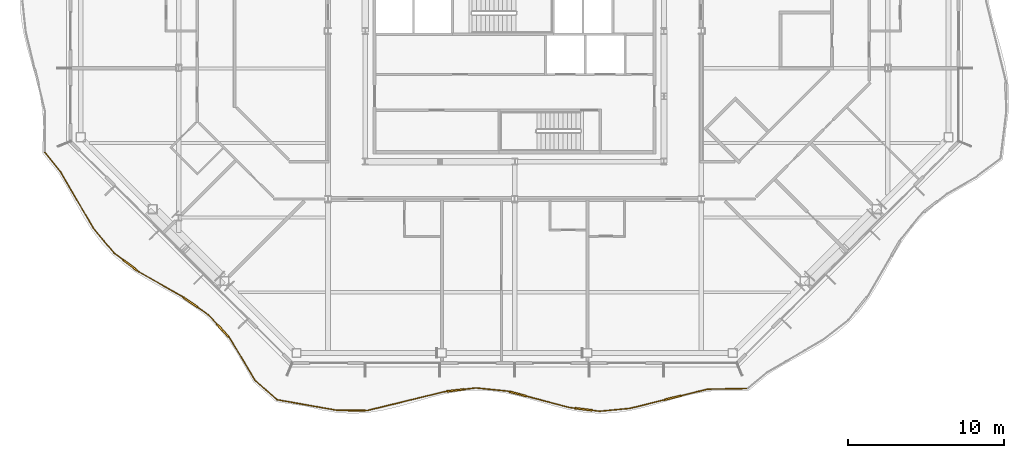
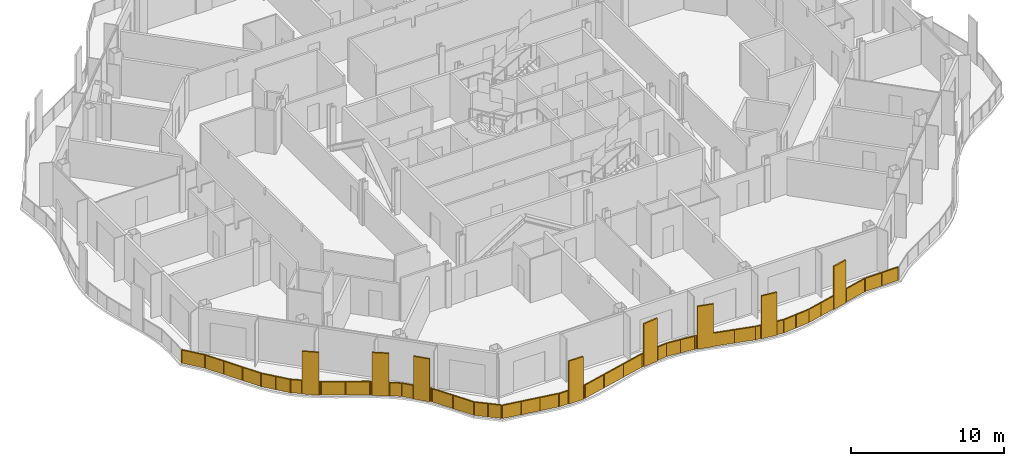
# One storey, part 15 of 21: 2 railings.
"""IFC4 building model written with IfcOpenShell, lengths in metres."""

from ifc_helpers import new_model, si_unit, direction, frame, origin, origin_2d, place, context, subcontext, project, spatial, polyline, rectangle, outline, extrude, material, type_object, element, save


model = new_model("IFC4")

# Units and contexts
model_context = context("Model", 3, precision=1e-05, world=origin(), true_north=direction((0.0, 1.0)))
body_context = subcontext(model_context, "Body", "Model", "MODEL_VIEW")
ifc_project = project(units=[si_unit("LENGTHUNIT", "METRE"), si_unit("AREAUNIT", "SQUARE_METRE"), si_unit("VOLUMEUNIT", "CUBIC_METRE"), si_unit("PLANEANGLEUNIT", "RADIAN"), si_unit("MASSUNIT", "GRAM", prefix="KILO")], contexts=[model_context])

# Site, building, storey
site_placement = place(None, origin())
site = spatial("IfcSite", under=ifc_project, at=site_placement, CompositionType="ELEMENT")
building_placement = place(site_placement, origin())
building = spatial("IfcBuilding", under=site, at=building_placement, Name="Cairn Pilgrim Tower", CompositionType="ELEMENT")
storey_placement = place(building_placement, frame((0.0, 0.0, 161.39990234375)))
storey = spatial("IfcBuildingStorey", under=building, at=storey_placement, Name="L40", CompositionType="ELEMENT", Elevation=161.39990234375)

# Railings
ifc_material = material(Name="Bronze anodised aluminium rail, posts and fin screens with laminated glass infill", Category="aluminium")
railing_type = type_object("IfcRailingType", Name="BALCONY GUARD WITH FIN SCREENS", PredefinedType="GUARDRAIL", material=ifc_material)
railing_1_placement = place(storey_placement, frame((-8.064697265625, -21.3095703125, 0.0)))
element("IfcRailing", 1, at=railing_1_placement, inside=storey, type_object=railing_type, Name="Balcony guard BGF-1 with fin screens", PredefinedType="GUARDRAIL", context=body_context, shape_type="SweptSolid", body=[
    extrude(rectangle(XDim=0.050048828125, YDim=0.050048828125, at=origin_2d()), frame((0.0, 0.0, 1.0751953125), z_axis=(0.984775400771, -0.173831556503, 0.0), x_axis=(0.173831556503, 0.984775400771, 0.0)), (0.0, 0.0, 1.0), 3.9169921875),
    extrude(rectangle(XDim=1.10009765625, YDim=0.110107421875, at=origin_2d()), frame((5.1123046875, -0.684814453125, 0.0), z_axis=(0.0, 0.0, 1.0), x_axis=(0.999995126974, -0.003121862909, 0.0)), (0.0, 0.0, 1.0), 3.39990234375),
    extrude(rectangle(XDim=0.050048828125, YDim=0.050048828125, at=origin_2d()), frame((3.857421875, -0.680908203125, 1.0751953125), z_axis=(0.999995126974, -0.003121862909, 0.0), x_axis=(0.003121862909, 0.999995126974, 0.0)), (0.0, 0.0, 1.0), 0.704833984375),
    extrude(rectangle(XDim=0.050048828125, YDim=0.050048828125, at=origin_2d()), frame((5.662353515625, -0.6865234375, 1.0751953125), z_axis=(0.999995126974, -0.003121862909, 0.0), x_axis=(0.003121862909, 0.999995126974, 0.0)), (0.0, 0.0, 1.0), 0.150146484375),
    extrude(rectangle(XDim=0.050048828125, YDim=0.050048828125, at=origin_2d()), frame((5.8125, -0.68701171875, 1.0751953125), z_axis=(0.971462007462, 0.237195210865, 0.0), x_axis=(-0.237195210865, 0.971462007462, 0.0)), (0.0, 0.0, 1.0), 5.10205078125),
    extrude(rectangle(XDim=1.10009765625, YDim=0.110107421875, at=origin_2d()), frame((11.46435546875, 0.60498046875, 0.0), z_axis=(0.0, 0.0, 1.0), x_axis=(0.993142374763, 0.116911177612, 0.0)), (0.0, 0.0, 1.0), 3.39990234375),
    extrude(rectangle(XDim=0.050048828125, YDim=0.050048828125, at=origin_2d()), frame((10.76904296875, 0.523193359375, 1.0751953125), z_axis=(0.993142374763, 0.116911177612, 0.0), x_axis=(-0.116911177612, 0.993142374763, 0.0)), (0.0, 0.0, 1.0), 0.14990234375),
    extrude(rectangle(XDim=0.050048828125, YDim=0.050048828125, at=origin_2d()), frame((12.010498046875, 0.66943359375, 1.0751953125), z_axis=(0.993142374763, 0.116911177612, 0.0), x_axis=(-0.116911177612, 0.993142374763, 0.0)), (0.0, 0.0, 1.0), 0.775634765625),
    extrude(rectangle(XDim=0.050048828125, YDim=0.050048828125, at=origin_2d()), frame((12.78076171875, 0.760009765625, 1.0751953125), z_axis=(0.994990516687, -0.099969353816, 0.0), x_axis=(0.099969353816, 0.994990516687, 0.0)), (0.0, 0.0, 1.0), 2.024658203125),
    extrude(rectangle(XDim=1.10009765625, YDim=0.110107421875, at=origin_2d()), frame((15.4716796875, 0.378173828125, 0.0), z_axis=(0.0, 0.0, 1.0), x_axis=(0.966567264802, -0.256413187284, 0.0)), (0.0, 0.0, 1.0), 3.39990234375),
    extrude(rectangle(XDim=0.050048828125, YDim=0.050048828125, at=origin_2d()), frame((14.795166015625, 0.5576171875, 1.0751953125), z_axis=(0.966567264802, -0.256413187284, 0.0), x_axis=(0.256413187284, 0.966567264802, 0.0)), (0.0, 0.0, 1.0), 0.14990234375),
    extrude(rectangle(XDim=0.050048828125, YDim=0.050048828125, at=origin_2d()), frame((16.003173828125, 0.237060546875, 1.0751953125), z_axis=(0.966567264802, -0.256413187284, 0.0), x_axis=(0.256413187284, 0.966567264802, 0.0)), (0.0, 0.0, 1.0), 2.861572265625),
    extrude(rectangle(XDim=1.10009765625, YDim=0.110107421875, at=origin_2d()), frame((19.6982421875, -0.611328125, 0.0), z_axis=(0.0, 0.0, 1.0), x_axis=(0.992466903496, -0.122513042023, 0.0)), (0.0, 0.0, 1.0), 3.39990234375),
    extrude(rectangle(XDim=0.050048828125, YDim=0.050048828125, at=origin_2d()), frame((18.76904296875, -0.49658203125, 1.0751953125), z_axis=(0.992466903496, -0.122513042023, 0.0), x_axis=(0.122513042023, 0.992466903496, 0.0)), (0.0, 0.0, 1.0), 0.38623046875),
    extrude(rectangle(XDim=0.050048828125, YDim=0.050048828125, at=origin_2d()), frame((20.244140625, -0.6787109375, 1.0751953125), z_axis=(0.992466903496, -0.122513042023, 0.0), x_axis=(0.122513042023, 0.992466903496, 0.0)), (0.0, 0.0, 1.0), 0.488525390625),
    extrude(rectangle(XDim=0.050048828125, YDim=0.050048828125, at=origin_2d()), frame((20.72900390625, -0.738525390625, 1.0751953125), z_axis=(0.995554949004, 0.094182501096, 0.0), x_axis=(-0.094182501096, 0.995554949004, 0.0)), (0.0, 0.0, 1.0), 1.967529296875),
    extrude(rectangle(XDim=1.10009765625, YDim=0.110107421875, at=origin_2d()), frame((25.4189453125, 0.1240234375, 0.0), z_axis=(0.0, 0.0, 1.0), x_axis=(0.970606172958, 0.240673340893, 0.0)), (0.0, 0.0, 1.0), 3.39990234375),
    extrude(rectangle(XDim=0.050048828125, YDim=0.050048828125, at=origin_2d()), frame((22.687744140625, -0.55322265625, 1.0751953125), z_axis=(0.970606172958, 0.240673340893, 0.0), x_axis=(-0.240673340893, 0.970606172958, 0.0)), (0.0, 0.0, 1.0), 2.263916015625),
    extrude(rectangle(XDim=0.050048828125, YDim=0.050048828125, at=origin_2d()), frame((25.952880859375, 0.25634765625, 1.0751953125), z_axis=(0.970606172958, 0.240673340893, 0.0), x_axis=(-0.240673340893, 0.970606172958, 0.0)), (0.0, 0.0, 1.0), 1.7578125),
    extrude(rectangle(XDim=0.050048828125, YDim=0.050048828125, at=origin_2d()), frame((27.658935546875, 0.679443359375, 1.0751953125), z_axis=(0.999865108932, 0.016424492078, 0.0), x_axis=(-0.016424492078, 0.999865108932, 0.0)), (0.0, 0.0, 1.0), 2.52685546875),
    extrude(rectangle(XDim=0.050048828125, YDim=0.050048828125, at=origin_2d()), origin(), (0.0, 0.0, 1.0), 1.050048828125),
    extrude(rectangle(XDim=0.050048828125, YDim=0.050048828125, at=origin_2d()), frame((1.285888671875, -0.22705078125, 0.0)), (0.0, 0.0, 1.0), 1.050048828125),
    extrude(rectangle(XDim=0.050048828125, YDim=0.050048828125, at=origin_2d()), frame((2.571533203125, -0.453857421875, 0.0)), (0.0, 0.0, 1.0), 1.050048828125),
    extrude(rectangle(XDim=0.050048828125, YDim=0.050048828125, at=origin_2d()), frame((3.857421875, -0.680908203125, 0.0)), (0.0, 0.0, 1.0), 1.050048828125),
    extrude(rectangle(XDim=0.050048828125, YDim=0.050048828125, at=origin_2d()), frame((4.537353515625, -0.68310546875, 0.0)), (0.0, 0.0, 1.0), 1.050048828125),
    extrude(rectangle(XDim=0.050048828125, YDim=0.050048828125, at=origin_2d()), frame((5.6875, -0.6865234375, 0.0)), (0.0, 0.0, 1.0), 1.050048828125),
    extrude(rectangle(XDim=0.050048828125, YDim=0.050048828125, at=origin_2d()), frame((5.8125, -0.68701171875, 0.0)), (0.0, 0.0, 1.0), 1.050048828125),
    extrude(rectangle(XDim=0.050048828125, YDim=0.050048828125, at=origin_2d()), frame((7.464599609375, -0.28369140625, 0.0)), (0.0, 0.0, 1.0), 1.050048828125),
    extrude(rectangle(XDim=0.050048828125, YDim=0.050048828125, at=origin_2d()), frame((9.116943359375, 0.119873046875, 0.0)), (0.0, 0.0, 1.0), 1.050048828125),
    extrude(rectangle(XDim=0.050048828125, YDim=0.050048828125, at=origin_2d()), frame((10.76904296875, 0.523193359375, 0.0)), (0.0, 0.0, 1.0), 1.050048828125),
    extrude(rectangle(XDim=0.050048828125, YDim=0.050048828125, at=origin_2d()), frame((10.89306640625, 0.537841796875, 0.0)), (0.0, 0.0, 1.0), 1.050048828125),
    extrude(rectangle(XDim=0.050048828125, YDim=0.050048828125, at=origin_2d()), frame((12.035400390625, 0.67236328125, 0.0)), (0.0, 0.0, 1.0), 1.050048828125),
    extrude(rectangle(XDim=0.050048828125, YDim=0.050048828125, at=origin_2d()), frame((12.78076171875, 0.760009765625, 0.0)), (0.0, 0.0, 1.0), 1.050048828125),
    extrude(rectangle(XDim=0.050048828125, YDim=0.050048828125, at=origin_2d()), frame((13.7880859375, 0.65869140625, 0.0)), (0.0, 0.0, 1.0), 1.050048828125),
    extrude(rectangle(XDim=0.050048828125, YDim=0.050048828125, at=origin_2d()), frame((14.795166015625, 0.5576171875, 0.0)), (0.0, 0.0, 1.0), 1.050048828125),
    extrude(rectangle(XDim=0.050048828125, YDim=0.050048828125, at=origin_2d()), frame((14.915771484375, 0.525634765625, 0.0)), (0.0, 0.0, 1.0), 1.050048828125),
    extrude(rectangle(XDim=0.050048828125, YDim=0.050048828125, at=origin_2d()), frame((16.02734375, 0.230712890625, 0.0)), (0.0, 0.0, 1.0), 1.050048828125),
    extrude(rectangle(XDim=0.050048828125, YDim=0.050048828125, at=origin_2d()), frame((17.398193359375, -0.1328125, 0.0)), (0.0, 0.0, 1.0), 1.050048828125),
    extrude(rectangle(XDim=0.050048828125, YDim=0.050048828125, at=origin_2d()), frame((18.76904296875, -0.49658203125, 0.0)), (0.0, 0.0, 1.0), 1.050048828125),
    extrude(rectangle(XDim=0.050048828125, YDim=0.050048828125, at=origin_2d()), frame((19.12744140625, -0.540771484375, 0.0)), (0.0, 0.0, 1.0), 1.050048828125),
    extrude(rectangle(XDim=0.050048828125, YDim=0.050048828125, at=origin_2d()), frame((20.268798828125, -0.681640625, 0.0)), (0.0, 0.0, 1.0), 1.050048828125),
    extrude(rectangle(XDim=0.050048828125, YDim=0.050048828125, at=origin_2d()), frame((20.72900390625, -0.738525390625, 0.0)), (0.0, 0.0, 1.0), 1.050048828125),
    extrude(rectangle(XDim=0.050048828125, YDim=0.050048828125, at=origin_2d()), frame((21.70849609375, -0.64599609375, 0.0)), (0.0, 0.0, 1.0), 1.050048828125),
    extrude(rectangle(XDim=0.050048828125, YDim=0.050048828125, at=origin_2d()), frame((22.687744140625, -0.55322265625, 0.0)), (0.0, 0.0, 1.0), 1.050048828125),
    extrude(rectangle(XDim=0.050048828125, YDim=0.050048828125, at=origin_2d()), frame((23.774169921875, -0.28369140625, 0.0)), (0.0, 0.0, 1.0), 1.050048828125),
    extrude(rectangle(XDim=0.050048828125, YDim=0.050048828125, at=origin_2d()), frame((24.86083984375, -0.014404296875, 0.0)), (0.0, 0.0, 1.0), 1.050048828125),
    extrude(rectangle(XDim=0.050048828125, YDim=0.050048828125, at=origin_2d()), frame((25.97705078125, 0.262451171875, 0.0)), (0.0, 0.0, 1.0), 1.050048828125),
    extrude(rectangle(XDim=0.050048828125, YDim=0.050048828125, at=origin_2d()), frame((27.658935546875, 0.679443359375, 0.0)), (0.0, 0.0, 1.0), 1.050048828125),
    extrude(rectangle(XDim=0.050048828125, YDim=0.050048828125, at=origin_2d()), frame((28.92236328125, 0.7001953125, 0.0)), (0.0, 0.0, 1.0), 1.050048828125),
    extrude(rectangle(XDim=0.050048828125, YDim=0.050048828125, at=origin_2d()), frame((30.185546875, 0.720947265625, 0.0)), (0.0, 0.0, 1.0), 1.050048828125),
    extrude(outline(polyline([(0.02490234375, 0.0), (1.28076171875, 0.0), (1.28076171875, 1.050048828125), (0.02490234375, 1.050048828125), (0.02490234375, 0.0)])), frame((0.0009765625, 0.005859375, 0.0), z_axis=(-0.173831556503, -0.984775400771, 0.0), x_axis=(0.984775400771, -0.173831556503, 0.0)), (0.0, 0.0, 1.0), 0.011962890625),
    extrude(outline(polyline([(0.02490234375, 0.0), (1.28076171875, 0.0), (1.28076171875, 1.050048828125), (0.02490234375, 1.050048828125), (0.02490234375, 0.0)])), frame((1.286865234375, -0.22119140625, 0.0), z_axis=(-0.173831556503, -0.984775400771, 0.0), x_axis=(0.984775400771, -0.173831556503, 0.0)), (0.0, 0.0, 1.0), 0.011962890625),
    extrude(outline(polyline([(0.02490234375, 0.0), (1.28076171875, 0.0), (1.28076171875, 1.050048828125), (0.02490234375, 1.050048828125), (0.02490234375, 0.0)])), frame((2.57275390625, -0.447998046875, 0.0), z_axis=(-0.173831556503, -0.984775400771, 0.0), x_axis=(0.984775400771, -0.173831556503, 0.0)), (0.0, 0.0, 1.0), 0.011962890625),
    extrude(outline(polyline([(0.02490234375, 0.0), (0.65478515625, 0.0), (0.65478515625, 1.050048828125), (0.02490234375, 1.050048828125), (0.02490234375, 0.0)])), frame((3.857421875, -0.675048828125, 0.0), z_axis=(-0.003121862909, -0.999995126974, 0.0), x_axis=(0.999995126974, -0.003121862909, 0.0)), (0.0, 0.0, 1.0), 0.011962890625),
    extrude(outline(polyline([(0.02490234375, 0.0), (0.10009765625, 0.0), (0.10009765625, 1.050048828125), (0.02490234375, 1.050048828125), (0.02490234375, 0.0)])), frame((5.6875, -0.6806640625, 0.0), z_axis=(-0.003121862909, -0.999995126974, 0.0), x_axis=(0.999995126974, -0.003121862909, 0.0)), (0.0, 0.0, 1.0), 0.011962890625),
    extrude(outline(polyline([(0.02490234375, 0.0), (1.67578125, 0.0), (1.67578125, 1.050048828125), (0.02490234375, 1.050048828125), (0.02490234375, 0.0)])), frame((5.81103515625, -0.68115234375, 0.0), z_axis=(0.237195210865, -0.971462007462, 0.0), x_axis=(0.971462007462, 0.237195210865, 0.0)), (0.0, 0.0, 1.0), 0.011962890625),
    extrude(outline(polyline([(0.02490234375, 0.0), (1.67578125, 0.0), (1.67578125, 1.050048828125), (0.02490234375, 1.050048828125), (0.02490234375, 0.0)])), frame((7.46337890625, -0.27783203125, 0.0), z_axis=(0.237195210865, -0.971462007462, 0.0), x_axis=(0.971462007462, 0.237195210865, 0.0)), (0.0, 0.0, 1.0), 0.011962890625),
    extrude(outline(polyline([(0.02490234375, 0.0), (1.67578125, 0.0), (1.67578125, 1.050048828125), (0.02490234375, 1.050048828125), (0.02490234375, 0.0)])), frame((9.115478515625, 0.12548828125, 0.0), z_axis=(0.237195210865, -0.971462007462, 0.0), x_axis=(0.971462007462, 0.237195210865, 0.0)), (0.0, 0.0, 1.0), 0.011962890625),
    extrude(outline(polyline([(0.02490234375, 0.0), (0.099853515625, 0.0), (0.099853515625, 1.050048828125), (0.02490234375, 1.050048828125), (0.02490234375, 0.0)])), frame((10.768310546875, 0.529052734375, 0.0), z_axis=(0.116911177612, -0.993142374763, 0.0), x_axis=(0.993142374763, 0.116911177612, 0.0)), (0.0, 0.0, 1.0), 0.011962890625),
    extrude(outline(polyline([(0.02490234375, 0.0), (0.7255859375, 0.0), (0.7255859375, 1.050048828125), (0.02490234375, 1.050048828125), (0.02490234375, 0.0)])), frame((12.03466796875, 0.67822265625, 0.0), z_axis=(0.116911177612, -0.993142374763, 0.0), x_axis=(0.993142374763, 0.116911177612, 0.0)), (0.0, 0.0, 1.0), 0.011962890625),
    extrude(outline(polyline([(0.02490234375, 0.0), (0.9873046875, 0.0), (0.9873046875, 1.050048828125), (0.02490234375, 1.050048828125), (0.02490234375, 0.0)])), frame((12.78125, 0.765869140625, 0.0), z_axis=(-0.099969353816, -0.994990516687, 0.0), x_axis=(0.994990516687, -0.099969353816, 0.0)), (0.0, 0.0, 1.0), 0.011962890625),
    extrude(outline(polyline([(0.02490234375, 0.0), (0.9873046875, 0.0), (0.9873046875, 1.050048828125), (0.02490234375, 1.050048828125), (0.02490234375, 0.0)])), frame((13.78857421875, 0.664794921875, 0.0), z_axis=(-0.099969353816, -0.994990516687, 0.0), x_axis=(0.994990516687, -0.099969353816, 0.0)), (0.0, 0.0, 1.0), 0.011962890625),
    extrude(outline(polyline([(0.02490234375, 0.0), (0.099853515625, 0.0), (0.099853515625, 1.050048828125), (0.02490234375, 1.050048828125), (0.02490234375, 0.0)])), frame((14.796630859375, 0.5634765625, 0.0), z_axis=(-0.256413187284, -0.966567264802, 0.0), x_axis=(0.966567264802, -0.256413187284, 0.0)), (0.0, 0.0, 1.0), 0.011962890625),
    extrude(outline(polyline([(0.02490234375, 0.0), (1.393310546875, 0.0), (1.393310546875, 1.050048828125), (0.02490234375, 1.050048828125), (0.02490234375, 0.0)])), frame((16.029052734375, 0.236572265625, 0.0), z_axis=(-0.256413187284, -0.966567264802, 0.0), x_axis=(0.966567264802, -0.256413187284, 0.0)), (0.0, 0.0, 1.0), 0.011962890625),
    extrude(outline(polyline([(0.02490234375, 0.0), (1.393310546875, 0.0), (1.393310546875, 1.050048828125), (0.02490234375, 1.050048828125), (0.02490234375, 0.0)])), frame((17.399658203125, -0.127197265625, 0.0), z_axis=(-0.256413187284, -0.966567264802, 0.0), x_axis=(0.966567264802, -0.256413187284, 0.0)), (0.0, 0.0, 1.0), 0.011962890625),
    extrude(outline(polyline([(0.02490234375, 0.0), (0.336181640625, 0.0), (0.336181640625, 1.050048828125), (0.02490234375, 1.050048828125), (0.02490234375, 0.0)])), frame((18.769775390625, -0.49072265625, 0.0), z_axis=(-0.122513042023, -0.992466903496, 0.0), x_axis=(0.992466903496, -0.122513042023, 0.0)), (0.0, 0.0, 1.0), 0.011962890625),
    extrude(outline(polyline([(0.02490234375, 0.0), (0.4384765625, 0.0), (0.4384765625, 1.050048828125), (0.02490234375, 1.050048828125), (0.02490234375, 0.0)])), frame((20.26953125, -0.67578125, 0.0), z_axis=(-0.122513042023, -0.992466903496, 0.0), x_axis=(0.992466903496, -0.122513042023, 0.0)), (0.0, 0.0, 1.0), 0.011962890625),
    extrude(outline(polyline([(0.02490234375, 0.0), (0.958740234375, 0.0), (0.958740234375, 1.050048828125), (0.02490234375, 1.050048828125), (0.02490234375, 0.0)])), frame((20.728515625, -0.732666015625, 0.0), z_axis=(0.094182501096, -0.995554949004, 0.0), x_axis=(0.995554949004, 0.094182501096, 0.0)), (0.0, 0.0, 1.0), 0.011962890625),
    extrude(outline(polyline([(0.02490234375, 0.0), (0.958740234375, 0.0), (0.958740234375, 1.050048828125), (0.02490234375, 1.050048828125), (0.02490234375, 0.0)])), frame((21.707763671875, -0.639892578125, 0.0), z_axis=(0.094182501096, -0.995554949004, 0.0), x_axis=(0.995554949004, 0.094182501096, 0.0)), (0.0, 0.0, 1.0), 0.011962890625),
    extrude(outline(polyline([(0.02490234375, 0.0), (1.094482421875, 0.0), (1.094482421875, 1.050048828125), (0.02490234375, 1.050048828125), (0.02490234375, 0.0)])), frame((22.686279296875, -0.54736328125, 0.0), z_axis=(0.240673340893, -0.970606172958, 0.0), x_axis=(0.970606172958, 0.240673340893, 0.0)), (0.0, 0.0, 1.0), 0.011962890625),
    extrude(outline(polyline([(0.02490234375, 0.0), (1.094482421875, 0.0), (1.094482421875, 1.050048828125), (0.02490234375, 1.050048828125), (0.02490234375, 0.0)])), frame((23.77294921875, -0.278076171875, 0.0), z_axis=(0.240673340893, -0.970606172958, 0.0), x_axis=(0.970606172958, 0.240673340893, 0.0)), (0.0, 0.0, 1.0), 0.011962890625),
    extrude(outline(polyline([(0.02490234375, 0.0), (1.707763671875, 0.0), (1.707763671875, 1.050048828125), (0.02490234375, 1.050048828125), (0.02490234375, 0.0)])), frame((25.9755859375, 0.268310546875, 0.0), z_axis=(0.240673340893, -0.970606172958, 0.0), x_axis=(0.970606172958, 0.240673340893, 0.0)), (0.0, 0.0, 1.0), 0.011962890625),
    extrude(outline(polyline([(0.02490234375, 0.0), (1.238525390625, 0.0), (1.238525390625, 1.050048828125), (0.02490234375, 1.050048828125), (0.02490234375, 0.0)])), frame((27.658935546875, 0.685302734375, 0.0), z_axis=(0.016424492078, -0.999865108932, 0.0), x_axis=(0.999865108932, 0.016424492078, 0.0)), (0.0, 0.0, 1.0), 0.011962890625),
    extrude(outline(polyline([(0.02490234375, 0.0), (1.238525390625, 0.0), (1.238525390625, 1.050048828125), (0.02490234375, 1.050048828125), (0.02490234375, 0.0)])), frame((28.922119140625, 0.7060546875, 0.0), z_axis=(0.016424492078, -0.999865108932, 0.0), x_axis=(0.999865108932, 0.016424492078, 0.0)), (0.0, 0.0, 1.0), 0.011962890625),
])
railing_2_placement = place(storey_placement, frame((-23.017822265625, -5.39697265625, 0.0)))
element("IfcRailing", 2, at=railing_2_placement, inside=storey, type_object=railing_type, Name="Balcony guard BGF-8 with fin screens", PredefinedType="GUARDRAIL", context=body_context, shape_type="SweptSolid", body=[
    extrude(rectangle(XDim=0.050048828125, YDim=0.050048828125, at=origin_2d()), frame((0.0, 0.0, 1.0751953125), z_axis=(0.629309918739, -0.777154441651, 0.0), x_axis=(0.777154441651, 0.629309918739, 0.0)), (0.0, 0.0, 1.0), 1.634765625),
    extrude(rectangle(XDim=0.050048828125, YDim=0.050048828125, at=origin_2d()), frame((1.02880859375, -1.2705078125, 1.0751953125), z_axis=(0.503445573056, -0.864026941113, 0.0), x_axis=(0.864026941113, 0.503445573056, 0.0)), (0.0, 0.0, 1.0), 4.210693359375),
    extrude(rectangle(XDim=0.050048828125, YDim=0.050048828125, at=origin_2d()), frame((3.148681640625, -4.90869140625, 1.0751953125), z_axis=(0.642279505627, -0.766470506055, 0.0), x_axis=(0.766470506055, 0.642279505627, 0.0)), (0.0, 0.0, 1.0), 2.014892578125),
    extrude(rectangle(XDim=1.10009765625, YDim=0.110107421875, at=origin_2d()), frame((5.498291015625, -7.2587890625, 0.0), z_axis=(0.0, 0.0, 1.0), x_axis=(0.794856499993, -0.606797449252, 0.0)), (0.0, 0.0, 1.0), 3.39990234375),
    extrude(rectangle(XDim=0.050048828125, YDim=0.050048828125, at=origin_2d()), frame((4.44287109375, -6.453125, 1.0751953125), z_axis=(0.794856499993, -0.606797449252, 0.0), x_axis=(0.606797449252, 0.794856499993, 0.0)), (0.0, 0.0, 1.0), 0.77783203125),
    extrude(rectangle(XDim=0.050048828125, YDim=0.050048828125, at=origin_2d()), frame((5.935546875, -7.592529296875, 1.0751953125), z_axis=(0.794856499993, -0.606797449252, 0.0), x_axis=(0.606797449252, 0.794856499993, 0.0)), (0.0, 0.0, 1.0), 0.14990234375),
    extrude(rectangle(XDim=0.050048828125, YDim=0.050048828125, at=origin_2d()), frame((6.0546875, -7.68359375, 1.0751953125), z_axis=(0.869823660525, -0.493362746457, 0.0), x_axis=(0.493362746457, 0.869823660525, 0.0)), (0.0, 0.0, 1.0), 3.166015625),
    extrude(rectangle(XDim=1.10009765625, YDim=0.110107421875, at=origin_2d()), frame((9.38134765625, -9.648193359375, 0.0), z_axis=(0.0, 0.0, 1.0), x_axis=(0.818237718742, -0.574880018463, 0.0)), (0.0, 0.0, 1.0), 3.39990234375),
    extrude(rectangle(XDim=0.050048828125, YDim=0.050048828125, at=origin_2d()), frame((8.80859375, -9.24560546875, 1.0751953125), z_axis=(0.818237718742, -0.574880018463, 0.0), x_axis=(0.574880018463, 0.818237718742, 0.0)), (0.0, 0.0, 1.0), 0.150146484375),
    extrude(rectangle(XDim=0.050048828125, YDim=0.050048828125, at=origin_2d()), frame((9.83154296875, -9.96435546875, 1.0751953125), z_axis=(0.818237718742, -0.574880018463, 0.0), x_axis=(0.574880018463, 0.818237718742, 0.0)), (0.0, 0.0, 1.0), 0.840576171875),
    extrude(rectangle(XDim=1.10009765625, YDim=0.110107421875, at=origin_2d()), frame((11.447265625, -11.455078125, 0.0), z_axis=(0.0, 0.0, 1.0), x_axis=(0.677432088372, -0.735585321798, 0.0)), (0.0, 0.0, 1.0), 3.39990234375),
    extrude(rectangle(XDim=0.050048828125, YDim=0.050048828125, at=origin_2d()), frame((10.519287109375, -10.447509765625, 1.0751953125), z_axis=(0.677432088372, -0.735585321798, 0.0), x_axis=(0.735585321798, 0.677432088372, 0.0)), (0.0, 0.0, 1.0), 0.81982421875),
    extrude(rectangle(XDim=0.050048828125, YDim=0.050048828125, at=origin_2d()), frame((11.81982421875, -11.85986328125, 1.0751953125), z_axis=(0.677432088372, -0.735585321798, 0.0), x_axis=(0.735585321798, 0.677432088372, 0.0)), (0.0, 0.0, 1.0), 0.14990234375),
    extrude(rectangle(XDim=0.050048828125, YDim=0.050048828125, at=origin_2d()), frame((11.92138671875, -11.969970703125, 1.0751953125), z_axis=(0.512632145142, -0.85860834131, 0.0), x_axis=(0.85860834131, 0.512632145142, 0.0)), (0.0, 0.0, 1.0), 3.142333984375),
    extrude(rectangle(XDim=0.050048828125, YDim=0.050048828125, at=origin_2d()), frame((13.5322265625, -14.66796875, 1.0751953125), z_axis=(0.752221003136, -0.658910891123, 0.0), x_axis=(0.658910891123, 0.752221003136, 0.0)), (0.0, 0.0, 1.0), 1.828857421875),
    extrude(rectangle(XDim=0.050048828125, YDim=0.050048828125, at=origin_2d()), origin(), (0.0, 0.0, 1.0), 1.050048828125),
    extrude(rectangle(XDim=0.050048828125, YDim=0.050048828125, at=origin_2d()), frame((1.02880859375, -1.2705078125, 0.0)), (0.0, 0.0, 1.0), 1.050048828125),
    extrude(rectangle(XDim=0.050048828125, YDim=0.050048828125, at=origin_2d()), frame((1.7353515625, -2.483154296875, 0.0)), (0.0, 0.0, 1.0), 1.050048828125),
    extrude(rectangle(XDim=0.050048828125, YDim=0.050048828125, at=origin_2d()), frame((2.442138671875, -3.696044921875, 0.0)), (0.0, 0.0, 1.0), 1.050048828125),
    extrude(rectangle(XDim=0.050048828125, YDim=0.050048828125, at=origin_2d()), frame((3.148681640625, -4.90869140625, 0.0)), (0.0, 0.0, 1.0), 1.050048828125),
    extrude(rectangle(XDim=0.050048828125, YDim=0.050048828125, at=origin_2d()), frame((3.7958984375, -5.680908203125, 0.0)), (0.0, 0.0, 1.0), 1.050048828125),
    extrude(rectangle(XDim=0.050048828125, YDim=0.050048828125, at=origin_2d()), frame((4.44287109375, -6.453125, 0.0)), (0.0, 0.0, 1.0), 1.050048828125),
    extrude(rectangle(XDim=0.050048828125, YDim=0.050048828125, at=origin_2d()), frame((5.041259765625, -6.909912109375, 0.0)), (0.0, 0.0, 1.0), 1.050048828125),
    extrude(rectangle(XDim=0.050048828125, YDim=0.050048828125, at=origin_2d()), frame((5.955322265625, -7.60791015625, 0.0)), (0.0, 0.0, 1.0), 1.050048828125),
    extrude(rectangle(XDim=0.050048828125, YDim=0.050048828125, at=origin_2d()), frame((6.0546875, -7.68359375, 0.0)), (0.0, 0.0, 1.0), 1.050048828125),
    extrude(rectangle(XDim=0.050048828125, YDim=0.050048828125, at=origin_2d()), frame((7.431640625, -8.464599609375, 0.0)), (0.0, 0.0, 1.0), 1.050048828125),
    extrude(rectangle(XDim=0.050048828125, YDim=0.050048828125, at=origin_2d()), frame((8.80859375, -9.24560546875, 0.0)), (0.0, 0.0, 1.0), 1.050048828125),
    extrude(rectangle(XDim=0.050048828125, YDim=0.050048828125, at=origin_2d()), frame((8.910888671875, -9.317626953125, 0.0)), (0.0, 0.0, 1.0), 1.050048828125),
    extrude(rectangle(XDim=0.050048828125, YDim=0.050048828125, at=origin_2d()), frame((9.85205078125, -9.978759765625, 0.0)), (0.0, 0.0, 1.0), 1.050048828125),
    extrude(rectangle(XDim=0.050048828125, YDim=0.050048828125, at=origin_2d()), frame((10.519287109375, -10.447509765625, 0.0)), (0.0, 0.0, 1.0), 1.050048828125),
    extrude(rectangle(XDim=0.050048828125, YDim=0.050048828125, at=origin_2d()), frame((11.057861328125, -11.0322265625, 0.0)), (0.0, 0.0, 1.0), 1.050048828125),
    extrude(rectangle(XDim=0.050048828125, YDim=0.050048828125, at=origin_2d()), frame((11.8369140625, -11.878173828125, 0.0)), (0.0, 0.0, 1.0), 1.050048828125),
    extrude(rectangle(XDim=0.050048828125, YDim=0.050048828125, at=origin_2d()), frame((11.92138671875, -11.969970703125, 0.0)), (0.0, 0.0, 1.0), 1.050048828125),
    extrude(rectangle(XDim=0.050048828125, YDim=0.050048828125, at=origin_2d()), frame((12.726806640625, -13.31884765625, 0.0)), (0.0, 0.0, 1.0), 1.050048828125),
    extrude(rectangle(XDim=0.050048828125, YDim=0.050048828125, at=origin_2d()), frame((13.5322265625, -14.66796875, 0.0)), (0.0, 0.0, 1.0), 1.050048828125),
    extrude(rectangle(XDim=0.050048828125, YDim=0.050048828125, at=origin_2d()), frame((14.22021484375, -15.2705078125, 0.0)), (0.0, 0.0, 1.0), 1.050048828125),
    extrude(rectangle(XDim=0.050048828125, YDim=0.050048828125, at=origin_2d()), frame((14.907958984375, -15.873046875, 0.0)), (0.0, 0.0, 1.0), 1.050048828125),
    extrude(outline(polyline([(0.02490234375, 0.0), (1.60986328125, 0.0), (1.60986328125, 1.050048828125), (0.02490234375, 1.050048828125), (0.02490234375, 0.0)])), frame((0.004638671875, 0.003662109375, 0.0), z_axis=(-0.777154441651, -0.629309918739, 0.0), x_axis=(0.629309918739, -0.777154441651, 0.0)), (0.0, 0.0, 1.0), 0.011962890625),
    extrude(outline(polyline([(0.02490234375, 0.0), (1.378662109375, 0.0), (1.378662109375, 1.050048828125), (0.02490234375, 1.050048828125), (0.02490234375, 0.0)])), frame((1.033935546875, -1.267578125, 0.0), z_axis=(-0.864026941113, -0.503445573056, 0.0), x_axis=(0.503445573056, -0.864026941113, 0.0)), (0.0, 0.0, 1.0), 0.011962890625),
    extrude(outline(polyline([(0.02490234375, 0.0), (1.378662109375, 0.0), (1.378662109375, 1.050048828125), (0.02490234375, 1.050048828125), (0.02490234375, 0.0)])), frame((1.74072265625, -2.480224609375, 0.0), z_axis=(-0.864026941113, -0.503445573056, 0.0), x_axis=(0.503445573056, -0.864026941113, 0.0)), (0.0, 0.0, 1.0), 0.011962890625),
    extrude(outline(polyline([(0.02490234375, 0.0), (1.378662109375, 0.0), (1.378662109375, 1.050048828125), (0.02490234375, 1.050048828125), (0.02490234375, 0.0)])), frame((2.447265625, -3.69287109375, 0.0), z_axis=(-0.864026941113, -0.503445573056, 0.0), x_axis=(0.503445573056, -0.864026941113, 0.0)), (0.0, 0.0, 1.0), 0.011962890625),
    extrude(outline(polyline([(0.02490234375, 0.0), (0.982421875, 0.0), (0.982421875, 1.050048828125), (0.02490234375, 1.050048828125), (0.02490234375, 0.0)])), frame((3.1533203125, -4.90478515625, 0.0), z_axis=(-0.766470506055, -0.642279505627, 0.0), x_axis=(0.642279505627, -0.766470506055, 0.0)), (0.0, 0.0, 1.0), 0.011962890625),
    extrude(outline(polyline([(0.02490234375, 0.0), (0.982421875, 0.0), (0.982421875, 1.050048828125), (0.02490234375, 1.050048828125), (0.02490234375, 0.0)])), frame((3.80029296875, -5.677001953125, 0.0), z_axis=(-0.766470506055, -0.642279505627, 0.0), x_axis=(0.642279505627, -0.766470506055, 0.0)), (0.0, 0.0, 1.0), 0.011962890625),
    extrude(outline(polyline([(0.02490234375, 0.0), (0.727783203125, 0.0), (0.727783203125, 1.050048828125), (0.02490234375, 1.050048828125), (0.02490234375, 0.0)])), frame((4.446533203125, -6.448486328125, 0.0), z_axis=(-0.606797449252, -0.794856499993, 0.0), x_axis=(0.794856499993, -0.606797449252, 0.0)), (0.0, 0.0, 1.0), 0.011962890625),
    extrude(outline(polyline([(0.02490234375, 0.0), (0.099853515625, 0.0), (0.099853515625, 1.050048828125), (0.02490234375, 1.050048828125), (0.02490234375, 0.0)])), frame((5.958984375, -7.60302734375, 0.0), z_axis=(-0.606797449252, -0.794856499993, 0.0), x_axis=(0.794856499993, -0.606797449252, 0.0)), (0.0, 0.0, 1.0), 0.011962890625),
    extrude(outline(polyline([(0.02490234375, 0.0), (1.55810546875, 0.0), (1.55810546875, 1.050048828125), (0.02490234375, 1.050048828125), (0.02490234375, 0.0)])), frame((6.0576171875, -7.678466796875, 0.0), z_axis=(-0.493362746457, -0.869823660525, 0.0), x_axis=(0.869823660525, -0.493362746457, 0.0)), (0.0, 0.0, 1.0), 0.011962890625),
    extrude(outline(polyline([(0.02490234375, 0.0), (1.55810546875, 0.0), (1.55810546875, 1.050048828125), (0.02490234375, 1.050048828125), (0.02490234375, 0.0)])), frame((7.4345703125, -8.45947265625, 0.0), z_axis=(-0.493362746457, -0.869823660525, 0.0), x_axis=(0.869823660525, -0.493362746457, 0.0)), (0.0, 0.0, 1.0), 0.011962890625),
    extrude(outline(polyline([(0.02490234375, 0.0), (0.10009765625, 0.0), (0.10009765625, 1.050048828125), (0.02490234375, 1.050048828125), (0.02490234375, 0.0)])), frame((8.81201171875, -9.24072265625, 0.0), z_axis=(-0.574880018463, -0.818237718742, 0.0), x_axis=(0.818237718742, -0.574880018463, 0.0)), (0.0, 0.0, 1.0), 0.011962890625),
    extrude(outline(polyline([(0.02490234375, 0.0), (0.79052734375, 0.0), (0.79052734375, 1.050048828125), (0.02490234375, 1.050048828125), (0.02490234375, 0.0)])), frame((9.85546875, -9.9736328125, 0.0), z_axis=(-0.574880018463, -0.818237718742, 0.0), x_axis=(0.818237718742, -0.574880018463, 0.0)), (0.0, 0.0, 1.0), 0.011962890625),
    extrude(outline(polyline([(0.02490234375, 0.0), (0.769775390625, 0.0), (0.769775390625, 1.050048828125), (0.02490234375, 1.050048828125), (0.02490234375, 0.0)])), frame((10.523681640625, -10.443359375, 0.0), z_axis=(-0.735585321798, -0.677432088372, 0.0), x_axis=(0.677432088372, -0.735585321798, 0.0)), (0.0, 0.0, 1.0), 0.011962890625),
    extrude(outline(polyline([(0.02490234375, 0.0), (0.099853515625, 0.0), (0.099853515625, 1.050048828125), (0.02490234375, 1.050048828125), (0.02490234375, 0.0)])), frame((11.84130859375, -11.8740234375, 0.0), z_axis=(-0.735585321798, -0.677432088372, 0.0), x_axis=(0.677432088372, -0.735585321798, 0.0)), (0.0, 0.0, 1.0), 0.011962890625),
    extrude(outline(polyline([(0.02490234375, 0.0), (1.546142578125, 0.0), (1.546142578125, 1.050048828125), (0.02490234375, 1.050048828125), (0.02490234375, 0.0)])), frame((11.926513671875, -11.966796875, 0.0), z_axis=(-0.85860834131, -0.512632145142, 0.0), x_axis=(0.512632145142, -0.85860834131, 0.0)), (0.0, 0.0, 1.0), 0.011962890625),
    extrude(outline(polyline([(0.02490234375, 0.0), (1.546142578125, 0.0), (1.546142578125, 1.050048828125), (0.02490234375, 1.050048828125), (0.02490234375, 0.0)])), frame((12.73193359375, -13.31591796875, 0.0), z_axis=(-0.85860834131, -0.512632145142, 0.0), x_axis=(0.512632145142, -0.85860834131, 0.0)), (0.0, 0.0, 1.0), 0.011962890625),
    extrude(outline(polyline([(0.02490234375, 0.0), (0.889404296875, 0.0), (0.889404296875, 1.050048828125), (0.02490234375, 1.050048828125), (0.02490234375, 0.0)])), frame((13.5361328125, -14.66357421875, 0.0), z_axis=(-0.658910891123, -0.752221003136, 0.0), x_axis=(0.752221003136, -0.658910891123, 0.0)), (0.0, 0.0, 1.0), 0.011962890625),
    extrude(outline(polyline([(0.02490234375, 0.0), (0.889404296875, 0.0), (0.889404296875, 1.050048828125), (0.02490234375, 1.050048828125), (0.02490234375, 0.0)])), frame((14.22412109375, -15.26611328125, 0.0), z_axis=(-0.658910891123, -0.752221003136, 0.0), x_axis=(0.752221003136, -0.658910891123, 0.0)), (0.0, 0.0, 1.0), 0.011962890625),
])

save(model, "model.ifc")
